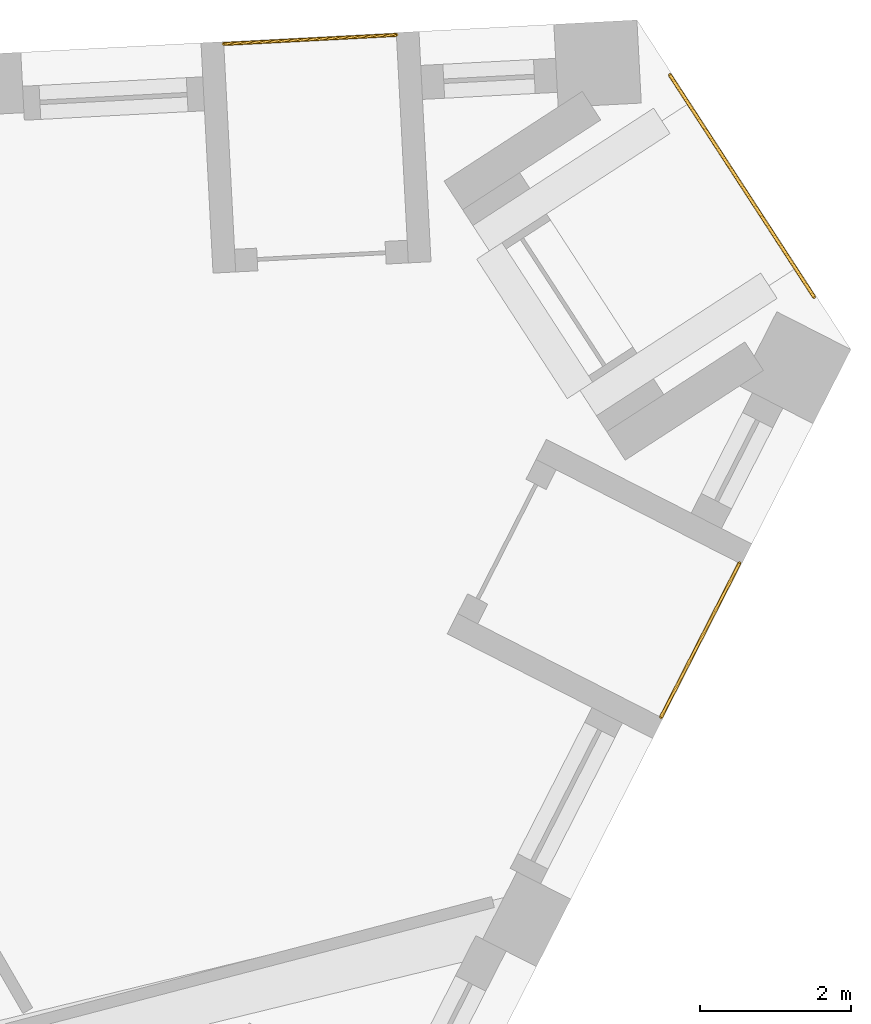
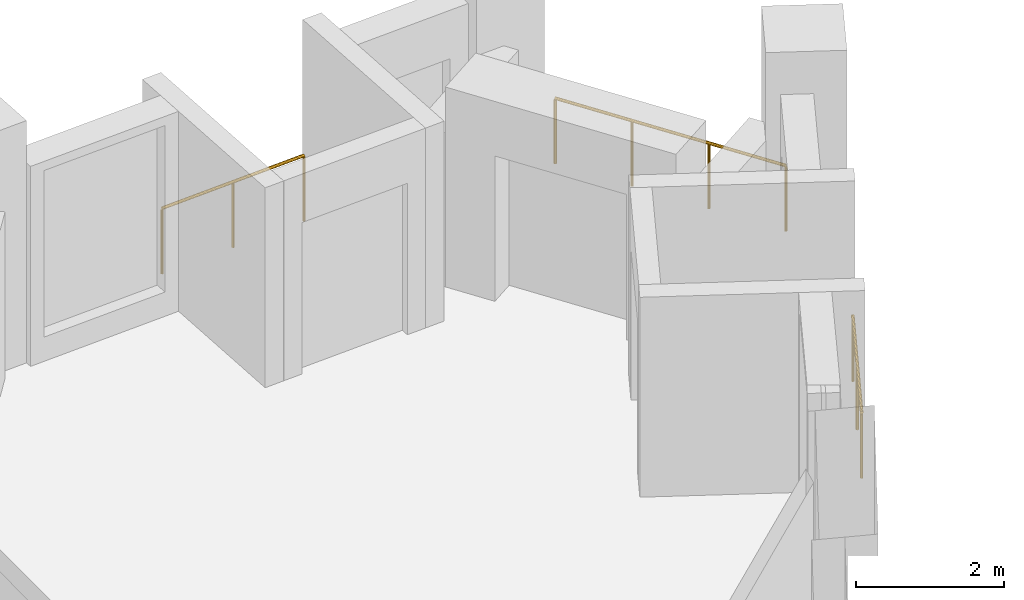
# One storey, part 12 of 12: 3 railings.
"""IFC4 building model written with IfcOpenShell, lengths in metres."""

import ifcopenshell
import ifcopenshell.guid

model = None  # the IFC model being written
_history = None  # IfcOwnerHistory: only IFC2X3 demands one
_inside = {}  # id of a spatial element -> (the spatial element, [elements in it])
_under = {}  # id of a project, library or spatial element -> (it, [spatial elements below it])
_declared = {}  # id of a project -> (the project, [libraries it declares])
_typed = {}  # id of a type object -> (the type object, [elements of that type])
_made_of = {}  # id of a material, layer set ... -> (it, [elements and type objects made of it])


def new_model(schema):
    """Start an empty IFC model of exactly this schema.

    Asked for "IFC4X3", IfcOpenShell would pick the latest addendum, in which some entities
    have other attributes; the version numbers below select the first issue.
    IFC2X3 requires an IfcOwnerHistory on every rooted entity: one is made here for all.
    """
    global model, _history
    if schema == "IFC4X3":
        model = ifcopenshell.file(schema_version=(4, 3, 0, 0))
    else:
        model = ifcopenshell.file(schema=schema)
    _inside.clear()
    _under.clear()
    _declared.clear()
    _typed.clear()
    _made_of.clear()
    _history = None
    if model.schema == "IFC2X3":
        org = make("IfcOrganization", Name="unknown")
        user = make(
            "IfcPersonAndOrganization",
            ThePerson=make("IfcPerson", FamilyName="unknown"),
            TheOrganization=org,
        )
        app = make(
            "IfcApplication",
            ApplicationDeveloper=org,
            Version="unknown",
            ApplicationFullName="unknown",
            ApplicationIdentifier="unknown",
        )
        _history = make(
            "IfcOwnerHistory",
            OwningUser=user,
            OwningApplication=app,
            ChangeAction="ADDED",
            CreationDate=0,
        )
    return model


def make(cls, **values):
    """One entity of the class cls with the attributes given. An attribute that is None is left unset."""
    return model.create_entity(
        cls, **{name: value for name, value in values.items() if value is not None}
    )


def rooted(cls, **values):
    """An entity with a GlobalId (a new one), such as an element, a storey or a relation."""
    return make(cls, GlobalId=ifcopenshell.guid.new(), OwnerHistory=_history, **values)


def si_unit(unit_type, name, prefix=None):
    """IfcSIUnit, for example si_unit("LENGTHUNIT", "METRE", prefix="MILLI")."""
    return make("IfcSIUnit", UnitType=unit_type, Prefix=prefix, Name=name)


def assignment(units):
    """IfcUnitAssignment: the units of a project."""
    return None if units is None else make("IfcUnitAssignment", Units=units)


def point(xyz):
    """IfcCartesianPoint."""
    return None if xyz is None else make("IfcCartesianPoint", Coordinates=xyz)


def direction(xyz):
    """IfcDirection."""
    return None if xyz is None else make("IfcDirection", DirectionRatios=xyz)


def frame(location, z_axis=None, x_axis=None):
    """IfcAxis2Placement3D, a coordinate frame: its origin and axes. An axis left out is left unset."""
    return make(
        "IfcAxis2Placement3D",
        Location=point(location),
        Axis=direction(z_axis),
        RefDirection=direction(x_axis),
    )


def frame_2d(location, x_axis=None):
    """IfcAxis2Placement2D, a coordinate frame in the plane: its origin and x axis."""
    return make(
        "IfcAxis2Placement2D", Location=point(location), RefDirection=direction(x_axis)
    )


def origin():
    """The frame at (0, 0, 0) with its axes left unset."""
    return frame((0.0, 0.0, 0.0))


def origin_2d():
    """The frame at (0, 0) in the plane with its x axis left unset."""
    return frame_2d((0.0, 0.0))


def place(relative_to, where):
    """IfcLocalPlacement: puts the frame where relative to a parent placement (None: the world)."""
    return make(
        "IfcLocalPlacement", PlacementRelTo=relative_to, RelativePlacement=where
    )


def context(
    kind, dimensions, precision=None, world=None, true_north=None, identifier=None
):
    """IfcGeometricRepresentationContext, for example the 3D "Model" context."""
    return make(
        "IfcGeometricRepresentationContext",
        ContextIdentifier=identifier,
        ContextType=kind,
        CoordinateSpaceDimension=dimensions,
        Precision=precision,
        WorldCoordinateSystem=world,
        TrueNorth=true_north,
    )


def subcontext(parent, identifier, kind, view, scale=None):
    """IfcGeometricRepresentationSubContext, for example "Body" below "Model"."""
    return make(
        "IfcGeometricRepresentationSubContext",
        ContextIdentifier=identifier,
        ContextType=kind,
        ParentContext=parent,
        TargetScale=scale,
        TargetView=view,
    )


def project(units=None, contexts=None):
    """IfcProject with its units and contexts."""
    return rooted(
        "IfcProject",
        Name="project",
        RepresentationContexts=contexts,
        UnitsInContext=assignment(units),
    )


def spatial(cls, under=None, at=None, **own):
    """A site, building, storey or space (cls), placed at a placement, below another one or the project."""
    s = rooted(cls, ObjectPlacement=at, **own)
    if under is not None:
        _under.setdefault(under.id(), (under, []))[1].append(s)
    return s


def profile(cls, at=None, kind="AREA", **sizes):
    """A parametric profile (cls). Its sizes go by their IFC names, for example OverallWidth=200.0."""
    return make(cls, ProfileType=kind, Position=at, **sizes)


def circle(**sizes):
    """IfcCircleProfileDef."""
    return profile("IfcCircleProfileDef", **sizes)


def extrude(swept, where, along, depth):
    """IfcExtrudedAreaSolid: the profile swept, set in the frame where, extruded along a direction by depth."""
    return make(
        "IfcExtrudedAreaSolid",
        SweptArea=swept,
        Position=where,
        ExtrudedDirection=direction(along),
        Depth=depth,
    )


def shape(context_of_items, identifier, shape_type, items):
    """IfcShapeRepresentation: the items that make up one representation, for example the "Body"."""
    return make(
        "IfcShapeRepresentation",
        ContextOfItems=context_of_items,
        RepresentationIdentifier=identifier,
        RepresentationType=shape_type,
        Items=items,
    )


def material(Name=None, Category=None):
    """IfcMaterial."""
    return make("IfcMaterial", Name=Name, Category=Category)


def made_of(thing, what):
    """Note that an element or type object is made of a material, layer set ...; save() writes the relation."""
    if what is not None:
        _made_of.setdefault(what.id(), (what, []))[1].append(thing)
    return thing


def type_object(cls, material=None, **own):
    """A type object (cls), such as IfcWallType, which elements share."""
    return made_of(rooted(cls, **own), material)


def element(
    cls,
    number,
    at=None,
    inside=None,
    cuts=None,
    type_object=None,
    material=None,
    context=None,
    identifier="Body",
    shape_type=None,
    held_by="IfcProductDefinitionShape",
    body=None,
    shapes=None,
    **own,
):
    """One element of the class cls, such as IfcWall. Its Tag is "e" and its number.

    at: its placement. inside: the storey or other place that contains it. cuts: it is an
    opening in that element (IfcRelVoidsElement). A single representation is given by context,
    identifier, shape_type and body (its items); several are given by shapes. held_by: the class
    of the entity that holds the representations. save() writes the other relations.
    """
    e = rooted(cls, Tag="e%d" % number, ObjectPlacement=at, **own)
    if body is not None:
        shapes = [shape(context, identifier, shape_type, body)]
    if shapes is not None:
        e.Representation = make(held_by, Representations=shapes)
    if inside is not None:
        _inside.setdefault(inside.id(), (inside, []))[1].append(e)
    if cuts is not None:
        rooted(
            "IfcRelVoidsElement", RelatingBuildingElement=cuts, RelatedOpeningElement=e
        )
    if type_object is not None:
        _typed.setdefault(type_object.id(), (type_object, []))[1].append(e)
    return made_of(e, material)


def aggregate(whole, parts):
    """IfcRelAggregates: a whole, such as a stair, and the parts it consists of."""
    return rooted("IfcRelAggregates", RelatingObject=whole, RelatedObjects=parts)


def save(model, path):
    """Write the relations noted so far, then the file.

    IfcRelAggregates (storeys below a building ...), IfcRelContainedInSpatialStructure (elements
    in a storey), IfcRelDefinesByType, IfcRelAssociatesMaterial and IfcRelDeclares: one each for
    every whole, place, type object, material and project.
    """
    for whole, parts in _under.values():
        aggregate(whole, parts)
    for where, things in _inside.values():
        rooted(
            "IfcRelContainedInSpatialStructure",
            RelatedElements=things,
            RelatingStructure=where,
        )
    for kind, things in _typed.values():
        rooted("IfcRelDefinesByType", RelatedObjects=things, RelatingType=kind)
    for what, things in _made_of.values():
        rooted("IfcRelAssociatesMaterial", RelatedObjects=things, RelatingMaterial=what)
    for by, libraries in _declared.values():
        rooted("IfcRelDeclares", RelatingContext=by, RelatedDefinitions=libraries)
    model.write(path)


model = new_model("IFC4")

# Units and contexts
model_context = context("Model", 3, precision=1e-05, world=origin(), true_north=direction((0.0, 1.0)))
body_context = subcontext(model_context, "Body", "Model", "MODEL_VIEW")
ifc_project = project(units=[si_unit("LENGTHUNIT", "METRE"), si_unit("AREAUNIT", "SQUARE_METRE"), si_unit("VOLUMEUNIT", "CUBIC_METRE"), si_unit("PLANEANGLEUNIT", "RADIAN"), si_unit("MASSUNIT", "GRAM", prefix="KILO")], contexts=[model_context])

# Site, building, storey
site_placement = place(None, origin())
site = spatial("IfcSite", under=ifc_project, at=site_placement, CompositionType="ELEMENT")
building_placement = place(site_placement, origin())
building = spatial("IfcBuilding", under=site, at=building_placement, Name="Tramontana Tower", CompositionType="ELEMENT")
storey_placement = place(building_placement, frame((0.0, 0.0, 274.39990234375)))
storey = spatial("IfcBuildingStorey", under=building, at=storey_placement, Name="L64", CompositionType="ELEMENT", Elevation=274.39990234375)

# Railings
ifc_material = material(Name="Laminated glass balustrade", Category="glass")
railing_type = type_object("IfcRailingType", Name="GD1 Loggia glass balustrade 1100", PredefinedType="BALUSTRADE", material=ifc_material)
railing_1_placement = place(storey_placement, frame((21.128173828125, 7.390625, 0.0)))
element("IfcRailing", 1, at=railing_1_placement, inside=storey, type_object=railing_type, Name="Loggia balustrade L64 G7S1.13", PredefinedType="BALUSTRADE", context=body_context, shape_type="SweptSolid", body=[
    extrude(circle(Radius=0.02392578125, at=origin_2d()), frame((0.0, 0.0, 1.076171875), z_axis=(0.453948171533, 0.89102809022, 0.0), x_axis=(-0.89102809022, 0.453948171533, 0.0)), (0.0, 0.0, 1.0), 2.286865234375),
    extrude(circle(Radius=0.02099609375, at=origin_2d()), origin(), (0.0, 0.0, 1.0), 1.052001953125),
    extrude(circle(Radius=0.02099609375, at=origin_2d()), frame((0.51904296875, 1.018798828125, 0.0)), (0.0, 0.0, 1.0), 1.052001953125),
    extrude(circle(Radius=0.02099609375, at=origin_2d()), frame((1.0380859375, 2.03759765625, 0.0)), (0.0, 0.0, 1.0), 1.052001953125),
])
railing_2_placement = place(storey_placement, frame((17.62890625, 16.4150390625, 0.0)))
element("IfcRailing", 2, at=railing_2_placement, inside=storey, type_object=railing_type, Name="Loggia balustrade L64 G7S2.1", PredefinedType="BALUSTRADE", context=body_context, shape_type="SweptSolid", body=[
    extrude(circle(Radius=0.02392578125, at=origin_2d()), frame((0.0, 0.0, 1.076171875), z_axis=(-0.998630775221, -0.052312281362, 0.0), x_axis=(0.052312281362, -0.998630775221, 0.0)), (0.0, 0.0, 1.0), 2.286865234375),
    extrude(circle(Radius=0.02099609375, at=origin_2d()), origin(), (0.0, 0.0, 1.0), 1.052001953125),
    extrude(circle(Radius=0.02099609375, at=origin_2d()), frame((-1.141845703125, -0.059814453125, 0.0)), (0.0, 0.0, 1.0), 1.052001953125),
    extrude(circle(Radius=0.02099609375, at=origin_2d()), frame((-2.28369140625, -0.11962890625, 0.0)), (0.0, 0.0, 1.0), 1.052001953125),
])
railing_3_placement = place(storey_placement, frame((21.24658203125, 15.88427734375, 0.0)))
element("IfcRailing", 3, at=railing_3_placement, inside=storey, type_object=railing_type, Name="Corner loggia balustrade L64 K72", PredefinedType="BALUSTRADE", context=body_context, shape_type="SweptSolid", body=[
    extrude(circle(Radius=0.02392578125, at=origin_2d()), frame((0.0, 0.0, 1.076171875), z_axis=(0.544647498784, -0.838665071449, 0.0), x_axis=(0.838665071449, 0.544647498784, 0.0)), (0.0, 0.0, 1.0), 3.5),
    extrude(circle(Radius=0.02099609375, at=origin_2d()), origin(), (0.0, 0.0, 1.0), 1.052001953125),
    extrude(circle(Radius=0.02099609375, at=origin_2d()), frame((0.635498046875, -0.978515625, 0.0)), (0.0, 0.0, 1.0), 1.052001953125),
    extrude(circle(Radius=0.02099609375, at=origin_2d()), frame((1.270751953125, -1.956787109375, 0.0)), (0.0, 0.0, 1.0), 1.052001953125),
    extrude(circle(Radius=0.02099609375, at=origin_2d()), frame((1.90625, -2.935302734375, 0.0)), (0.0, 0.0, 1.0), 1.052001953125),
])

save(model, "model.ifc")
